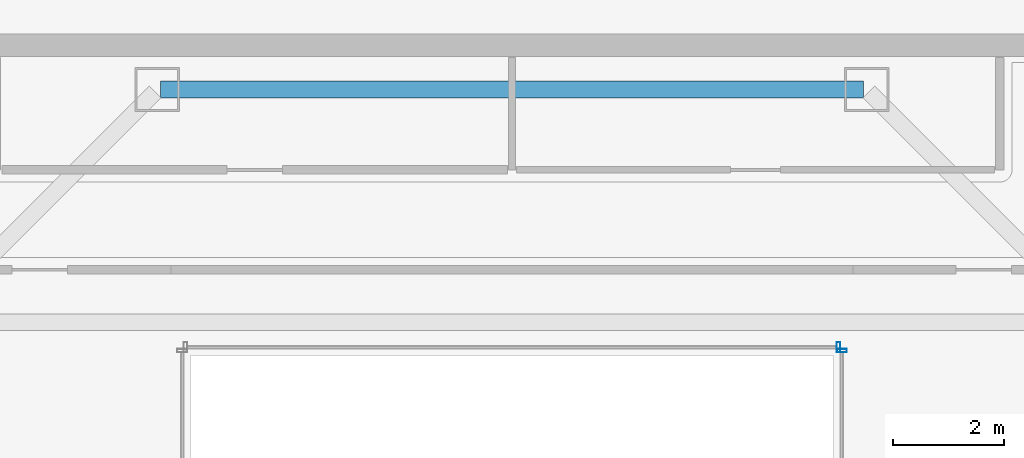
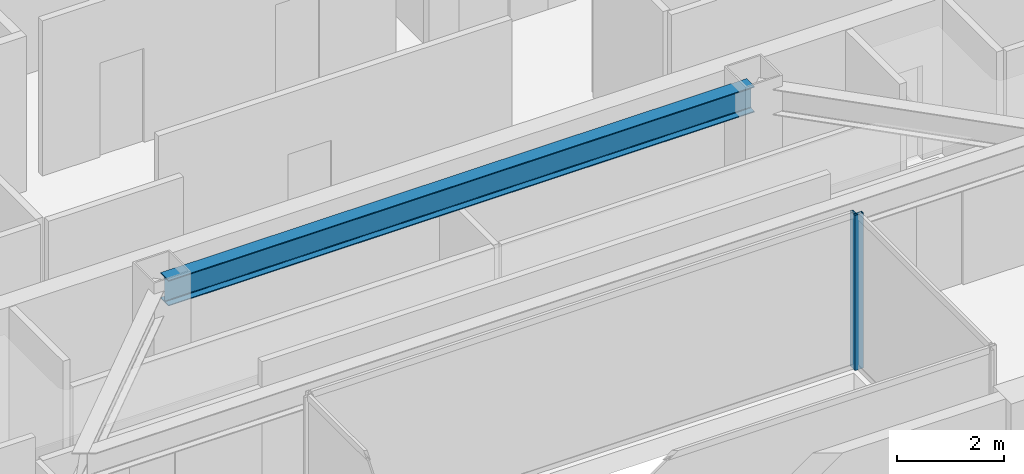
# One storey, part 10 of 31: 2 members, 1 beam, 2 elements without a shape of their own.
"""IFC4 building model written with IfcOpenShell, lengths in metres."""

from ifc_helpers import new_model, si_unit, direction, frame, origin, origin_2d, place, context, subcontext, project, spatial, hollow_rectangle, i_section, extrude, material, material_profile, profile_set, type_object, element, aggregate, save


model = new_model("IFC4")

# Units and contexts
model_context = context("Model", 3, precision=1e-05, world=origin(), true_north=direction((0.0, 1.0)))
body_context = subcontext(model_context, "Body", "Model", "MODEL_VIEW")
ifc_project = project(units=[si_unit("LENGTHUNIT", "METRE"), si_unit("AREAUNIT", "SQUARE_METRE"), si_unit("VOLUMEUNIT", "CUBIC_METRE"), si_unit("PLANEANGLEUNIT", "RADIAN"), si_unit("MASSUNIT", "GRAM", prefix="KILO")], contexts=[model_context])

# Site, building, storey
site_placement = place(None, origin())
site = spatial("IfcSite", under=ifc_project, at=site_placement, CompositionType="ELEMENT")
building_placement = place(site_placement, origin())
building = spatial("IfcBuilding", under=site, at=building_placement, Name="Saevonmaru Cultural Tower", CompositionType="ELEMENT")
storey_placement = place(building_placement, frame((0.0, 0.0, 230.60009765625)))
storey = spatial("IfcBuildingStorey", under=building, at=storey_placement, Name="L53", CompositionType="ELEMENT", Elevation=230.60009765625)

# Beam
ifc_material_1 = material(Name="Steel SM355", Category="steel")
ifc_material_profile_1 = material_profile(ifc_material_1, i_section(OverallWidth=0.300048828125, OverallDepth=0.587890625, WebThickness=0.011962890625, FlangeThickness=0.02001953125, FilletRadius=0.02392578125, at=origin_2d()), Name="H-588x300x12x20")
ifc_profile_set_1 = profile_set([ifc_material_profile_1], Name="Steel SM355")
beam_type = type_object("IfcBeamType", Name="BM-G-H588", PredefinedType="BEAM", material=ifc_profile_set_1)
beam_placement = place(storey_placement, frame((23.659912109375, 42.39990234375, 3.255859375), z_axis=(1.0, 0.0, 0.0), x_axis=(0.0, 1.0, 0.0)))
element("IfcBeam", 1, at=beam_placement, inside=storey, type_object=beam_type, Name="L53 Core South Girder 3", PredefinedType="BEAM", context=body_context, shape_type="SweptSolid", body=[
    extrude(i_section(OverallWidth=0.300048828125, OverallDepth=0.587890625, WebThickness=0.011962890625, FlangeThickness=0.02001953125, FilletRadius=0.02392578125, at=origin_2d()), origin(), (0.0, 0.0, 1.0), 12.68017578125),
])

# Curtain wall, member
ifc_material_2 = material(Name="Satin Bronze Anodised Aluminium", Category="aluminium")
curtain_wall_type = type_object("IfcCurtainWallType", Name="CW-ATR-GLZ", PredefinedType="NOTDEFINED", material=ifc_material_2)
curtain_wall_1_placement = place(storey_placement, origin())
curtain_wall_1 = element("IfcCurtainWall", 2, at=curtain_wall_1_placement, inside=storey, type_object=curtain_wall_type, Name="L53 Vertical Atrium Glazed Smoke Screen 2", PredefinedType="NOTDEFINED")
ifc_material_profile_2 = material_profile(ifc_material_2, hollow_rectangle(XDim=0.06494140625, YDim=0.179931640625, WallThickness=0.00390625, at=origin_2d()), Name="ALU-MULL-180x65x4")
ifc_profile_set_2 = profile_set([ifc_material_profile_2], Name="Satin Bronze Anodised Aluminium")
member_type = type_object("IfcMemberType", Name="ML-CW-INT-180x65", PredefinedType="MULLION", material=ifc_profile_set_2)
member_1_placement = place(storey_placement, frame((35.949951171875, 37.68994140625, 0.0), z_axis=(0.0, 0.0, 1.0), x_axis=(0.0, 1.0, 0.0)))
member_1 = element("IfcMember", 3, at=member_1_placement, type_object=member_type, Name="CW-ATR-L53-2 mullion 2", PredefinedType="MULLION", context=body_context, shape_type="SweptSolid", body=[
    extrude(hollow_rectangle(XDim=0.06494140625, YDim=0.179931640625, WallThickness=0.00390625, at=origin_2d()), origin(), (0.0, 0.0, 1.0), 3.5498046875),
])
aggregate(curtain_wall_1, [member_1])

curtain_wall_2_placement = place(storey_placement, origin())
curtain_wall_2 = element("IfcCurtainWall", 4, at=curtain_wall_2_placement, inside=storey, type_object=curtain_wall_type, Name="L53 Vertical Atrium Glazed Smoke Screen 3", PredefinedType="NOTDEFINED")
member_2_placement = place(storey_placement, frame((35.889892578125, 37.75, 0.0), z_axis=(0.0, 0.0, 1.0), x_axis=(-1.0, 0.0, 0.0)))
member_2 = element("IfcMember", 5, at=member_2_placement, type_object=member_type, Name="CW-ATR-L53-3 mullion 1", PredefinedType="MULLION", context=body_context, shape_type="SweptSolid", body=[
    extrude(hollow_rectangle(XDim=0.06494140625, YDim=0.179931640625, WallThickness=0.00390625, at=origin_2d()), origin(), (0.0, 0.0, 1.0), 3.5498046875),
])
aggregate(curtain_wall_2, [member_2])

save(model, "model.ifc")
